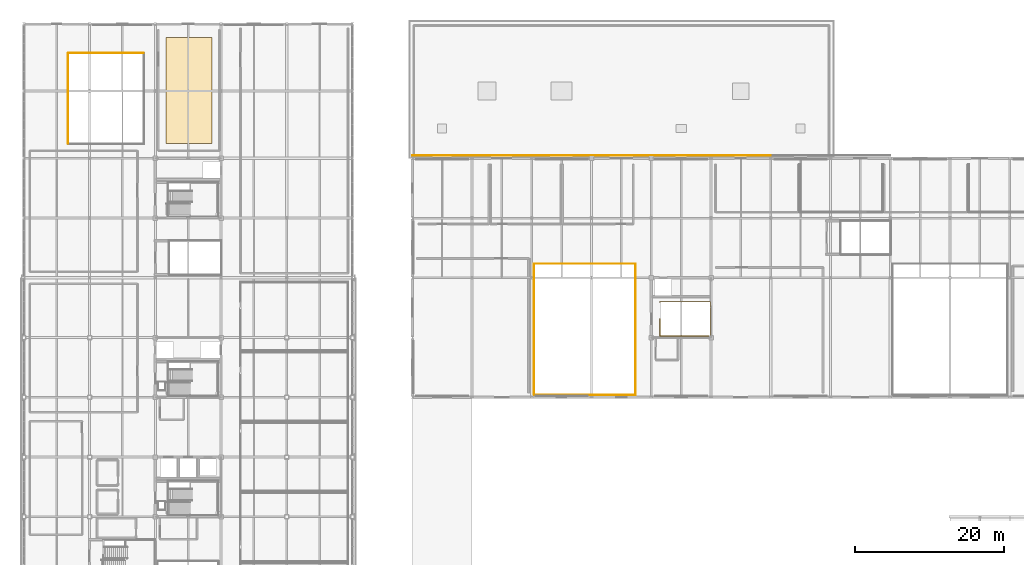
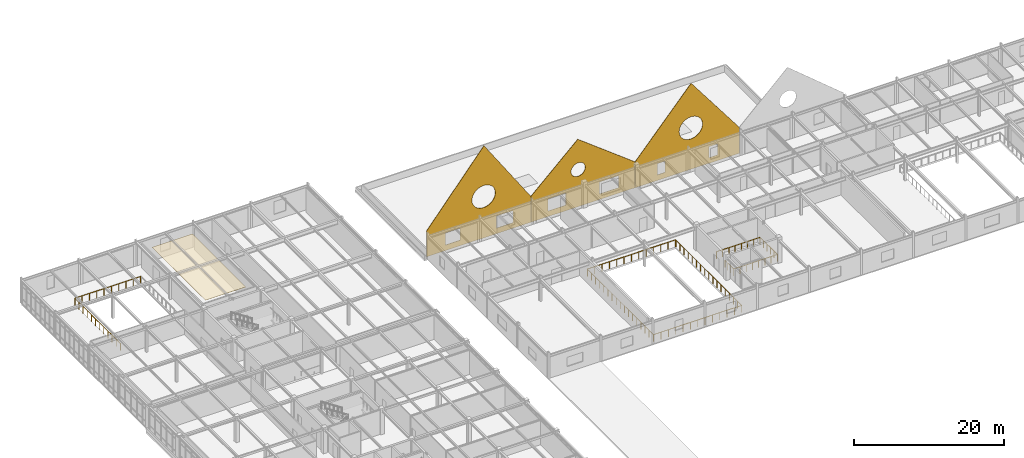
# One storey, part 87 of 88: 4 coverings, 4 railings, 9 openings.
"""IFC4 building model written with IfcOpenShell, lengths in metres."""

from ifc_helpers import new_model, si_unit, direction, frame, frame_2d, origin, origin_2d, place, context, subcontext, project, spatial, polyline, rectangle, circle, outline, extrude, material, layer, layer_set, type_object, element, save


model = new_model("IFC4")

# Units and contexts
model_context = context("Model", 3, precision=1e-05, world=origin(), true_north=direction((0.0, 1.0)))
body_context = subcontext(model_context, "Body", "Model", "MODEL_VIEW")
ifc_project = project(units=[si_unit("LENGTHUNIT", "METRE"), si_unit("AREAUNIT", "SQUARE_METRE"), si_unit("VOLUMEUNIT", "CUBIC_METRE"), si_unit("PLANEANGLEUNIT", "RADIAN"), si_unit("MASSUNIT", "GRAM", prefix="KILO")], contexts=[model_context])

# Site, building, storey
site_placement = place(None, origin())
site = spatial("IfcSite", under=ifc_project, at=site_placement, CompositionType="ELEMENT")
building_placement = place(site_placement, origin())
building = spatial("IfcBuilding", under=site, at=building_placement, Name="Zhaolan Boulevard Law Courts", CompositionType="ELEMENT")
storey_placement = place(building_placement, frame((0.0, 0.0, 16.199951171875)))
storey = spatial("IfcBuildingStorey", under=building, at=storey_placement, Name="L03", CompositionType="ELEMENT", Elevation=16.199951171875)

# Covering
ifc_material_1 = material(Name="Perforated acoustic gypsum and timber-slat ceiling", Category="wood")
ifc_layer_1 = layer(ifc_material_1, 0.030029296875)
ifc_layer_set_1 = layer_set([ifc_layer_1])
covering_type_1 = type_object("IfcCoveringType", Name="ACOUSTIC CEILING 30", PredefinedType="CEILING", material=ifc_layer_set_1)
covering_1_placement = place(storey_placement, frame((22.10009765625, 103.10009765625, 3.51513671875), z_axis=(0.0, 0.0, 1.0), x_axis=(1.0, 0.0, 0.0)))
element("IfcCovering", 1, at=covering_1_placement, inside=storey, type_object=covering_type_1, Name="Acoustic Baffle Ceiling CLG-17", PredefinedType="CEILING", context=body_context, shape_type="SweptSolid", body=[
    extrude(rectangle(XDim=6.199951171875, YDim=14.199951171875, at=origin_2d()), origin(), (0.0, 0.0, 1.0), 0.030029296875),
])

# Railings
ifc_material_2 = material(Name="Powder-coated steel and tempered laminated glass", Category="steel")
railing_type_1 = type_object("IfcRailingType", Name="INTERIOR GUARDRAIL 1150", PredefinedType="GUARDRAIL", material=ifc_material_2)
railing_1_placement = place(storey_placement, frame((68.360107421875, 62.320068359375, 0.0)))
element("IfcRailing", 2, at=railing_1_placement, inside=storey, type_object=railing_type_1, Name="Atrium Gallery Guardrail VG-3-V2-5A", PredefinedType="GUARDRAIL", context=body_context, shape_type="SweptSolid", body=[
    extrude(circle(Radius=0.02490234375, at=origin_2d()), frame((0.0, 0.0, 1.125), z_axis=(1.0, 0.0, 0.0), x_axis=(0.0, 1.0, 0.0)), (0.0, 0.0, 1.0), 13.519775390625),
    extrude(circle(Radius=0.02490234375, at=origin_2d()), frame((13.519775390625, 0.0, 1.125), z_axis=(0.0, 1.0, 0.0), x_axis=(-1.0, 0.0, 0.0)), (0.0, 0.0, 1.0), 17.52001953125),
    extrude(circle(Radius=0.02099609375, at=origin_2d()), origin(), (0.0, 0.0, 1.0), 1.099853515625),
    extrude(circle(Radius=0.02099609375, at=origin_2d()), frame((1.126708984375, 0.0, 0.0)), (0.0, 0.0, 1.0), 1.099853515625),
    extrude(circle(Radius=0.02099609375, at=origin_2d()), frame((2.25341796875, 0.0, 0.0)), (0.0, 0.0, 1.0), 1.099853515625),
    extrude(circle(Radius=0.02099609375, at=origin_2d()), frame((3.3798828125, 0.0, 0.0)), (0.0, 0.0, 1.0), 1.099853515625),
    extrude(circle(Radius=0.02099609375, at=origin_2d()), frame((4.506591796875, 0.0, 0.0)), (0.0, 0.0, 1.0), 1.099853515625),
    extrude(circle(Radius=0.02099609375, at=origin_2d()), frame((5.63330078125, 0.0, 0.0)), (0.0, 0.0, 1.0), 1.099853515625),
    extrude(circle(Radius=0.02099609375, at=origin_2d()), frame((6.759765625, 0.0, 0.0)), (0.0, 0.0, 1.0), 1.099853515625),
    extrude(circle(Radius=0.02099609375, at=origin_2d()), frame((7.886474609375, 0.0, 0.0)), (0.0, 0.0, 1.0), 1.099853515625),
    extrude(circle(Radius=0.02099609375, at=origin_2d()), frame((9.01318359375, 0.0, 0.0)), (0.0, 0.0, 1.0), 1.099853515625),
    extrude(circle(Radius=0.02099609375, at=origin_2d()), frame((10.139892578125, 0.0, 0.0)), (0.0, 0.0, 1.0), 1.099853515625),
    extrude(circle(Radius=0.02099609375, at=origin_2d()), frame((11.2666015625, 0.0, 0.0)), (0.0, 0.0, 1.0), 1.099853515625),
    extrude(circle(Radius=0.02099609375, at=origin_2d()), frame((12.39306640625, 0.0, 0.0)), (0.0, 0.0, 1.0), 1.099853515625),
    extrude(circle(Radius=0.02099609375, at=origin_2d()), frame((13.519775390625, 0.0, 0.0)), (0.0, 0.0, 1.0), 1.099853515625),
    extrude(circle(Radius=0.02099609375, at=origin_2d()), frame((13.519775390625, 1.094970703125, 0.0)), (0.0, 0.0, 1.0), 1.099853515625),
    extrude(circle(Radius=0.02099609375, at=origin_2d()), frame((13.519775390625, 2.18994140625, 0.0)), (0.0, 0.0, 1.0), 1.099853515625),
    extrude(circle(Radius=0.02099609375, at=origin_2d()), frame((13.519775390625, 3.284912109375, 0.0)), (0.0, 0.0, 1.0), 1.099853515625),
    extrude(circle(Radius=0.02099609375, at=origin_2d()), frame((13.519775390625, 4.3798828125, 0.0)), (0.0, 0.0, 1.0), 1.099853515625),
    extrude(circle(Radius=0.02099609375, at=origin_2d()), frame((13.519775390625, 5.47509765625, 0.0)), (0.0, 0.0, 1.0), 1.099853515625),
    extrude(circle(Radius=0.02099609375, at=origin_2d()), frame((13.519775390625, 6.570068359375, 0.0)), (0.0, 0.0, 1.0), 1.099853515625),
    extrude(circle(Radius=0.02099609375, at=origin_2d()), frame((13.519775390625, 7.6650390625, 0.0)), (0.0, 0.0, 1.0), 1.099853515625),
    extrude(circle(Radius=0.02099609375, at=origin_2d()), frame((13.519775390625, 8.760009765625, 0.0)), (0.0, 0.0, 1.0), 1.099853515625),
    extrude(circle(Radius=0.02099609375, at=origin_2d()), frame((13.519775390625, 9.85498046875, 0.0)), (0.0, 0.0, 1.0), 1.099853515625),
    extrude(circle(Radius=0.02099609375, at=origin_2d()), frame((13.519775390625, 10.949951171875, 0.0)), (0.0, 0.0, 1.0), 1.099853515625),
    extrude(circle(Radius=0.02099609375, at=origin_2d()), frame((13.519775390625, 12.044921875, 0.0)), (0.0, 0.0, 1.0), 1.099853515625),
    extrude(circle(Radius=0.02099609375, at=origin_2d()), frame((13.519775390625, 13.14013671875, 0.0)), (0.0, 0.0, 1.0), 1.099853515625),
    extrude(circle(Radius=0.02099609375, at=origin_2d()), frame((13.519775390625, 14.235107421875, 0.0)), (0.0, 0.0, 1.0), 1.099853515625),
    extrude(circle(Radius=0.02099609375, at=origin_2d()), frame((13.519775390625, 15.330078125, 0.0)), (0.0, 0.0, 1.0), 1.099853515625),
    extrude(circle(Radius=0.02099609375, at=origin_2d()), frame((13.519775390625, 16.425048828125, 0.0)), (0.0, 0.0, 1.0), 1.099853515625),
    extrude(circle(Radius=0.02099609375, at=origin_2d()), frame((13.519775390625, 17.52001953125, 0.0)), (0.0, 0.0, 1.0), 1.099853515625),
])
railing_2_placement = place(storey_placement, frame((81.820068359375, 79.8798828125, 0.0)))
element("IfcRailing", 3, at=railing_2_placement, inside=storey, type_object=railing_type_1, Name="Atrium Gallery Guardrail VG-3-V2-5B", PredefinedType="GUARDRAIL", context=body_context, shape_type="SweptSolid", body=[
    extrude(circle(Radius=0.02490234375, at=origin_2d()), frame((0.0, 0.0, 1.125), z_axis=(-1.0, 0.0, 0.0), x_axis=(0.0, -1.0, 0.0)), (0.0, 0.0, 1.0), 13.5),
    extrude(circle(Radius=0.02490234375, at=origin_2d()), frame((-13.5, 0.0, 1.125), z_axis=(0.0, -1.0, 0.0), x_axis=(1.0, 0.0, 0.0)), (0.0, 0.0, 1.0), 17.5),
    extrude(circle(Radius=0.02099609375, at=origin_2d()), origin(), (0.0, 0.0, 1.0), 1.099853515625),
    extrude(circle(Radius=0.02099609375, at=origin_2d()), frame((-1.125, 0.0, 0.0)), (0.0, 0.0, 1.0), 1.099853515625),
    extrude(circle(Radius=0.02099609375, at=origin_2d()), frame((-2.25, 0.0, 0.0)), (0.0, 0.0, 1.0), 1.099853515625),
    extrude(circle(Radius=0.02099609375, at=origin_2d()), frame((-3.375, 0.0, 0.0)), (0.0, 0.0, 1.0), 1.099853515625),
    extrude(circle(Radius=0.02099609375, at=origin_2d()), frame((-4.5, 0.0, 0.0)), (0.0, 0.0, 1.0), 1.099853515625),
    extrude(circle(Radius=0.02099609375, at=origin_2d()), frame((-5.625, 0.0, 0.0)), (0.0, 0.0, 1.0), 1.099853515625),
    extrude(circle(Radius=0.02099609375, at=origin_2d()), frame((-6.75, 0.0, 0.0)), (0.0, 0.0, 1.0), 1.099853515625),
    extrude(circle(Radius=0.02099609375, at=origin_2d()), frame((-7.875, 0.0, 0.0)), (0.0, 0.0, 1.0), 1.099853515625),
    extrude(circle(Radius=0.02099609375, at=origin_2d()), frame((-9.0, 0.0, 0.0)), (0.0, 0.0, 1.0), 1.099853515625),
    extrude(circle(Radius=0.02099609375, at=origin_2d()), frame((-10.125, 0.0, 0.0)), (0.0, 0.0, 1.0), 1.099853515625),
    extrude(circle(Radius=0.02099609375, at=origin_2d()), frame((-11.25, 0.0, 0.0)), (0.0, 0.0, 1.0), 1.099853515625),
    extrude(circle(Radius=0.02099609375, at=origin_2d()), frame((-12.375, 0.0, 0.0)), (0.0, 0.0, 1.0), 1.099853515625),
    extrude(circle(Radius=0.02099609375, at=origin_2d()), frame((-13.5, 0.0, 0.0)), (0.0, 0.0, 1.0), 1.099853515625),
    extrude(circle(Radius=0.02099609375, at=origin_2d()), frame((-13.5, -1.09375, 0.0)), (0.0, 0.0, 1.0), 1.099853515625),
    extrude(circle(Radius=0.02099609375, at=origin_2d()), frame((-13.5, -2.1875, 0.0)), (0.0, 0.0, 1.0), 1.099853515625),
    extrude(circle(Radius=0.02099609375, at=origin_2d()), frame((-13.5, -3.28125, 0.0)), (0.0, 0.0, 1.0), 1.099853515625),
    extrude(circle(Radius=0.02099609375, at=origin_2d()), frame((-13.5, -4.375, 0.0)), (0.0, 0.0, 1.0), 1.099853515625),
    extrude(circle(Radius=0.02099609375, at=origin_2d()), frame((-13.5, -5.46875, 0.0)), (0.0, 0.0, 1.0), 1.099853515625),
    extrude(circle(Radius=0.02099609375, at=origin_2d()), frame((-13.5, -6.5625, 0.0)), (0.0, 0.0, 1.0), 1.099853515625),
    extrude(circle(Radius=0.02099609375, at=origin_2d()), frame((-13.5, -7.65625, 0.0)), (0.0, 0.0, 1.0), 1.099853515625),
    extrude(circle(Radius=0.02099609375, at=origin_2d()), frame((-13.5, -8.75, 0.0)), (0.0, 0.0, 1.0), 1.099853515625),
    extrude(circle(Radius=0.02099609375, at=origin_2d()), frame((-13.5, -9.84375, 0.0)), (0.0, 0.0, 1.0), 1.099853515625),
    extrude(circle(Radius=0.02099609375, at=origin_2d()), frame((-13.5, -10.9375, 0.0)), (0.0, 0.0, 1.0), 1.099853515625),
    extrude(circle(Radius=0.02099609375, at=origin_2d()), frame((-13.5, -12.03125, 0.0)), (0.0, 0.0, 1.0), 1.099853515625),
    extrude(circle(Radius=0.02099609375, at=origin_2d()), frame((-13.5, -13.125, 0.0)), (0.0, 0.0, 1.0), 1.099853515625),
    extrude(circle(Radius=0.02099609375, at=origin_2d()), frame((-13.5, -14.21875, 0.0)), (0.0, 0.0, 1.0), 1.099853515625),
    extrude(circle(Radius=0.02099609375, at=origin_2d()), frame((-13.5, -15.3125, 0.0)), (0.0, 0.0, 1.0), 1.099853515625),
    extrude(circle(Radius=0.02099609375, at=origin_2d()), frame((-13.5, -16.40625, 0.0)), (0.0, 0.0, 1.0), 1.099853515625),
    extrude(circle(Radius=0.02099609375, at=origin_2d()), frame((-13.5, -17.5, 0.0)), (0.0, 0.0, 1.0), 1.099853515625),
])
railing_3_placement = place(storey_placement, frame((16.02001953125, 108.080078125, 0.0)))
element("IfcRailing", 4, at=railing_3_placement, inside=storey, type_object=railing_type_1, Name="Atrium Gallery Guardrail VG-3-V3-4B", PredefinedType="GUARDRAIL", context=body_context, shape_type="SweptSolid", body=[
    extrude(circle(Radius=0.02490234375, at=origin_2d()), frame((0.0, 0.0, 1.125), z_axis=(-1.0, 0.0, 0.0), x_axis=(0.0, -1.0, 0.0)), (0.0, 0.0, 1.0), 10.10009765625),
    extrude(circle(Radius=0.02490234375, at=origin_2d()), frame((-10.10009765625, 0.0, 1.125), z_axis=(0.0, -1.0, 0.0), x_axis=(1.0, 0.0, 0.0)), (0.0, 0.0, 1.0), 12.10009765625),
    extrude(circle(Radius=0.02099609375, at=origin_2d()), origin(), (0.0, 0.0, 1.0), 1.099853515625),
    extrude(circle(Radius=0.02099609375, at=origin_2d()), frame((-1.122314453125, 0.0, 0.0)), (0.0, 0.0, 1.0), 1.099853515625),
    extrude(circle(Radius=0.02099609375, at=origin_2d()), frame((-2.244384765625, 0.0, 0.0)), (0.0, 0.0, 1.0), 1.099853515625),
    extrude(circle(Radius=0.02099609375, at=origin_2d()), frame((-3.36669921875, 0.0, 0.0)), (0.0, 0.0, 1.0), 1.099853515625),
    extrude(circle(Radius=0.02099609375, at=origin_2d()), frame((-4.489013671875, 0.0, 0.0)), (0.0, 0.0, 1.0), 1.099853515625),
    extrude(circle(Radius=0.02099609375, at=origin_2d()), frame((-5.611083984375, 0.0, 0.0)), (0.0, 0.0, 1.0), 1.099853515625),
    extrude(circle(Radius=0.02099609375, at=origin_2d()), frame((-6.7333984375, 0.0, 0.0)), (0.0, 0.0, 1.0), 1.099853515625),
    extrude(circle(Radius=0.02099609375, at=origin_2d()), frame((-7.855712890625, 0.0, 0.0)), (0.0, 0.0, 1.0), 1.099853515625),
    extrude(circle(Radius=0.02099609375, at=origin_2d()), frame((-8.977783203125, 0.0, 0.0)), (0.0, 0.0, 1.0), 1.099853515625),
    extrude(circle(Radius=0.02099609375, at=origin_2d()), frame((-10.10009765625, 0.0, 0.0)), (0.0, 0.0, 1.0), 1.099853515625),
    extrude(circle(Radius=0.02099609375, at=origin_2d()), frame((-10.10009765625, -1.10009765625, 0.0)), (0.0, 0.0, 1.0), 1.099853515625),
    extrude(circle(Radius=0.02099609375, at=origin_2d()), frame((-10.10009765625, -2.199951171875, 0.0)), (0.0, 0.0, 1.0), 1.099853515625),
    extrude(circle(Radius=0.02099609375, at=origin_2d()), frame((-10.10009765625, -3.300048828125, 0.0)), (0.0, 0.0, 1.0), 1.099853515625),
    extrude(circle(Radius=0.02099609375, at=origin_2d()), frame((-10.10009765625, -4.400146484375, 0.0)), (0.0, 0.0, 1.0), 1.099853515625),
    extrude(circle(Radius=0.02099609375, at=origin_2d()), frame((-10.10009765625, -5.5, 0.0)), (0.0, 0.0, 1.0), 1.099853515625),
    extrude(circle(Radius=0.02099609375, at=origin_2d()), frame((-10.10009765625, -6.60009765625, 0.0)), (0.0, 0.0, 1.0), 1.099853515625),
    extrude(circle(Radius=0.02099609375, at=origin_2d()), frame((-10.10009765625, -7.699951171875, 0.0)), (0.0, 0.0, 1.0), 1.099853515625),
    extrude(circle(Radius=0.02099609375, at=origin_2d()), frame((-10.10009765625, -8.800048828125, 0.0)), (0.0, 0.0, 1.0), 1.099853515625),
    extrude(circle(Radius=0.02099609375, at=origin_2d()), frame((-10.10009765625, -9.900146484375, 0.0)), (0.0, 0.0, 1.0), 1.099853515625),
    extrude(circle(Radius=0.02099609375, at=origin_2d()), frame((-10.10009765625, -11.0, 0.0)), (0.0, 0.0, 1.0), 1.099853515625),
    extrude(circle(Radius=0.02099609375, at=origin_2d()), frame((-10.10009765625, -12.10009765625, 0.0)), (0.0, 0.0, 1.0), 1.099853515625),
])
ifc_material_3 = material(Name="Powder-coated steel baluster guardrail", Category="steel")
railing_type_2 = type_object("IfcRailingType", Name="STAIR WELL GUARDRAIL 1120", PredefinedType="GUARDRAIL", material=ifc_material_3)
railing_4_placement = place(storey_placement, frame((85.18994140625, 72.530029296875, 0.0)))
element("IfcRailing", 5, at=railing_4_placement, inside=storey, type_object=railing_type_2, Name="Stair-Well Floor Guardrail WG-ST08-L02", PredefinedType="GUARDRAIL", context=body_context, shape_type="SweptSolid", body=[
    extrude(circle(Radius=0.02392578125, at=origin_2d()), frame((0.0, 0.0, 1.09619140625), z_axis=(0.0, -1.0, 0.0), x_axis=(1.0, 0.0, 0.0)), (0.0, 0.0, 1.0), 2.330078125),
    extrude(circle(Radius=0.02392578125, at=origin_2d()), frame((0.0, -2.330078125, 1.09619140625), z_axis=(1.0, 0.0, 0.0), x_axis=(0.0, 1.0, 0.0)), (0.0, 0.0, 1.0), 6.7099609375),
    extrude(circle(Radius=0.02392578125, at=origin_2d()), frame((6.7099609375, -2.330078125, 1.09619140625), z_axis=(0.0, 1.0, 0.0), x_axis=(-1.0, 0.0, 0.0)), (0.0, 0.0, 1.0), 4.60009765625),
    extrude(circle(Radius=0.02392578125, at=origin_2d()), frame((6.7099609375, 2.27001953125, 1.09619140625), z_axis=(-1.0, 0.0, 0.0), x_axis=(0.0, -1.0, 0.0)), (0.0, 0.0, 1.0), 6.7099609375),
    extrude(circle(Radius=0.02392578125, at=origin_2d()), frame((0.0, 2.27001953125, 1.09619140625), z_axis=(0.0, -1.0, 0.0), x_axis=(1.0, 0.0, 0.0)), (0.0, 0.0, 1.0), 0.0400390625),
    extrude(circle(Radius=0.02099609375, at=origin_2d()), origin(), (0.0, 0.0, 1.0), 1.072021484375),
    extrude(circle(Radius=0.02099609375, at=origin_2d()), frame((0.0, -0.776611328125, 0.0)), (0.0, 0.0, 1.0), 1.072021484375),
    extrude(circle(Radius=0.02099609375, at=origin_2d()), frame((0.0, -1.553466796875, 0.0)), (0.0, 0.0, 1.0), 1.072021484375),
    extrude(circle(Radius=0.02099609375, at=origin_2d()), frame((0.0, -2.330078125, 0.0)), (0.0, 0.0, 1.0), 1.072021484375),
    extrude(circle(Radius=0.02099609375, at=origin_2d()), frame((0.95849609375, -2.330078125, 0.0)), (0.0, 0.0, 1.0), 1.072021484375),
    extrude(circle(Radius=0.02099609375, at=origin_2d()), frame((1.917236328125, -2.330078125, 0.0)), (0.0, 0.0, 1.0), 1.072021484375),
    extrude(circle(Radius=0.02099609375, at=origin_2d()), frame((2.875732421875, -2.330078125, 0.0)), (0.0, 0.0, 1.0), 1.072021484375),
    extrude(circle(Radius=0.02099609375, at=origin_2d()), frame((3.834228515625, -2.330078125, 0.0)), (0.0, 0.0, 1.0), 1.072021484375),
    extrude(circle(Radius=0.02099609375, at=origin_2d()), frame((4.792724609375, -2.330078125, 0.0)), (0.0, 0.0, 1.0), 1.072021484375),
    extrude(circle(Radius=0.02099609375, at=origin_2d()), frame((5.75146484375, -2.330078125, 0.0)), (0.0, 0.0, 1.0), 1.072021484375),
    extrude(circle(Radius=0.02099609375, at=origin_2d()), frame((6.7099609375, -2.330078125, 0.0)), (0.0, 0.0, 1.0), 1.072021484375),
    extrude(circle(Radius=0.02099609375, at=origin_2d()), frame((6.7099609375, -1.41015625, 0.0)), (0.0, 0.0, 1.0), 1.072021484375),
    extrude(circle(Radius=0.02099609375, at=origin_2d()), frame((6.7099609375, -0.489990234375, 0.0)), (0.0, 0.0, 1.0), 1.072021484375),
    extrude(circle(Radius=0.02099609375, at=origin_2d()), frame((6.7099609375, 0.429931640625, 0.0)), (0.0, 0.0, 1.0), 1.072021484375),
    extrude(circle(Radius=0.02099609375, at=origin_2d()), frame((6.7099609375, 1.35009765625, 0.0)), (0.0, 0.0, 1.0), 1.072021484375),
    extrude(circle(Radius=0.02099609375, at=origin_2d()), frame((6.7099609375, 2.27001953125, 0.0)), (0.0, 0.0, 1.0), 1.072021484375),
    extrude(circle(Radius=0.02099609375, at=origin_2d()), frame((5.75146484375, 2.27001953125, 0.0)), (0.0, 0.0, 1.0), 1.072021484375),
    extrude(circle(Radius=0.02099609375, at=origin_2d()), frame((4.792724609375, 2.27001953125, 0.0)), (0.0, 0.0, 1.0), 1.072021484375),
    extrude(circle(Radius=0.02099609375, at=origin_2d()), frame((3.834228515625, 2.27001953125, 0.0)), (0.0, 0.0, 1.0), 1.072021484375),
    extrude(circle(Radius=0.02099609375, at=origin_2d()), frame((2.875732421875, 2.27001953125, 0.0)), (0.0, 0.0, 1.0), 1.072021484375),
    extrude(circle(Radius=0.02099609375, at=origin_2d()), frame((1.917236328125, 2.27001953125, 0.0)), (0.0, 0.0, 1.0), 1.072021484375),
    extrude(circle(Radius=0.02099609375, at=origin_2d()), frame((0.95849609375, 2.27001953125, 0.0)), (0.0, 0.0, 1.0), 1.072021484375),
    extrude(circle(Radius=0.02099609375, at=origin_2d()), frame((0.0, 2.27001953125, 0.0)), (0.0, 0.0, 1.0), 1.072021484375),
    extrude(circle(Radius=0.02099609375, at=origin_2d()), frame((0.0, 2.22998046875, 0.0)), (0.0, 0.0, 1.0), 1.072021484375),
])

# Covering, openings
ifc_material_4 = material(Name="Pale mist-grey standing-seam Al-Mg-Mn zinc-titanium")
ifc_layer_2 = layer(ifc_material_4, 0.050048828125)
ifc_layer_set_2 = layer_set([ifc_layer_2])
covering_type_2 = type_object("IfcCoveringType", Name="STANDING SEAM CLADDING 50", PredefinedType="CLADDING", material=ifc_layer_set_2)
covering_2_placement = place(storey_placement, frame((68.0, 94.364990234375, 0.050048828125), z_axis=(0.0, 0.0, 1.0), x_axis=(-1.0, 0.0, 0.0)))
covering_2 = element("IfcCovering", 6, at=covering_2_placement, inside=storey, type_object=covering_type_2, Name="Standing-Seam Metal Wall Wrap SSC-002", PredefinedType="CLADDING", context=body_context, shape_type="SweptSolid", body=[
    extrude(outline(polyline([(0.0, 0.0), (16.0, 0.0), (16.0, 4.199951171875), (7.199951171875, 14.949951171875), (0.0, 4.199951171875), (0.0, 0.0)])), frame((0.0, 0.02490234375, 0.0), z_axis=(0.0, -1.0, 0.0), x_axis=(1.0, 0.0, 0.0)), (0.0, 0.0, 1.0), 0.050048828125),
])
opening_1_placement = place(storey_placement, frame((57.125, 94.364990234375, 0.949951171875), z_axis=(0.0, 0.0, 1.0), x_axis=(-1.0, 0.0, 0.0)))
element("IfcOpeningElement", 7, at=opening_1_placement, cuts=covering_2, Name="Cladding Void WIN-L03-141", PredefinedType="OPENING", context=body_context, shape_type="SweptSolid", body=[
    extrude(rectangle(XDim=2.25, YDim=1.949951171875, at=frame_2d((1.125, 0.97509765625))), frame((0.0, 0.14990234375, 0.0), z_axis=(0.0, -1.0, 0.0), x_axis=(1.0, 0.0, 0.0)), (0.0, 0.0, 1.0), 0.300048828125),
])
opening_2_placement = place(storey_placement, frame((65.27490234375, 94.364990234375, 0.949951171875), z_axis=(0.0, 0.0, 1.0), x_axis=(-1.0, 0.0, 0.0)))
element("IfcOpeningElement", 8, at=opening_2_placement, cuts=covering_2, Name="Cladding Void WIN-L03-142", PredefinedType="OPENING", context=body_context, shape_type="SweptSolid", body=[
    extrude(rectangle(XDim=2.550048828125, YDim=1.949951171875, at=frame_2d((1.27490234375, 0.97509765625))), frame((0.0, 0.14990234375, 0.0), z_axis=(0.0, -1.0, 0.0), x_axis=(1.0, 0.0, 0.0)), (0.0, 0.0, 1.0), 0.300048828125),
])
opening_3_placement = place(storey_placement, frame((62.544921875, 94.364990234375, 4.969970703125), z_axis=(0.0, 0.0, 1.0), x_axis=(-1.0, 0.0, 0.0)))
element("IfcOpeningElement", 9, at=opening_3_placement, cuts=covering_2, Name="Cladding Void OC-T1N", PredefinedType="OPENING", context=body_context, shape_type="SweptSolid", body=[
    extrude(outline(polyline([(3.60009765625, 1.800048828125), (3.57275390625, 2.112548828125), (3.491455078125, 2.41552734375), (3.35888671875, 2.699951171875), (3.178955078125, 2.95703125), (2.95703125, 3.178955078125), (2.699951171875, 3.35888671875), (2.41552734375, 3.491455078125), (2.112548828125, 3.57275390625), (1.800048828125, 3.60009765625), (1.487548828125, 3.57275390625), (1.184326171875, 3.491455078125), (0.89990234375, 3.35888671875), (0.64306640625, 3.178955078125), (0.421142578125, 2.95703125), (0.2412109375, 2.699951171875), (0.108642578125, 2.41552734375), (0.02734375, 2.112548828125), (0.0, 1.800048828125), (0.02734375, 1.487548828125), (0.108642578125, 1.184326171875), (0.2412109375, 0.89990234375), (0.421142578125, 0.64306640625), (0.64306640625, 0.421142578125), (0.89990234375, 0.2412109375), (1.184326171875, 0.108642578125), (1.487548828125, 0.02734375), (1.800048828125, 0.0), (2.112548828125, 0.02734375), (2.41552734375, 0.108642578125), (2.699951171875, 0.2412109375), (2.95703125, 0.421142578125), (3.178955078125, 0.64306640625), (3.35888671875, 0.89990234375), (3.491455078125, 1.184326171875), (3.57275390625, 1.487548828125), (3.60009765625, 1.800048828125)])), frame((0.0, 0.14990234375, 0.0), z_axis=(0.0, -1.0, 0.0), x_axis=(1.0, 0.0, 0.0)), (0.0, 0.0, 1.0), 0.300048828125),
])

covering_3_placement = place(storey_placement, frame((84.0, 94.364990234375, 0.050048828125), z_axis=(0.0, 0.0, 1.0), x_axis=(-1.0, 0.0, 0.0)))
covering_3 = element("IfcCovering", 10, at=covering_3_placement, inside=storey, type_object=covering_type_2, Name="Standing-Seam Metal Wall Wrap SSC-006", PredefinedType="CLADDING", context=body_context, shape_type="SweptSolid", body=[
    extrude(outline(polyline([(0.0, 0.0), (16.0, 0.0), (16.0, 4.199951171875), (8.800048828125, 10.949951171875), (0.0, 4.199951171875), (0.0, 0.0)])), frame((0.0, 0.02490234375, 0.0), z_axis=(0.0, -1.0, 0.0), x_axis=(1.0, 0.0, 0.0)), (0.0, 0.0, 1.0), 0.050048828125),
])
opening_4_placement = place(storey_placement, frame((73.375, 94.364990234375, 0.949951171875), z_axis=(0.0, 0.0, 1.0), x_axis=(-1.0, 0.0, 0.0)))
element("IfcOpeningElement", 11, at=opening_4_placement, cuts=covering_3, Name="Cladding Void WIN-L03-143", PredefinedType="OPENING", context=body_context, shape_type="SweptSolid", body=[
    extrude(rectangle(XDim=2.75, YDim=1.949951171875, at=frame_2d((1.375, 0.97509765625))), frame((0.0, 0.14990234375, 0.0), z_axis=(0.0, -1.0, 0.0), x_axis=(1.0, 0.0, 0.0)), (0.0, 0.0, 1.0), 0.300048828125),
])
opening_5_placement = place(storey_placement, frame((81.449951171875, 94.364990234375, 0.949951171875), z_axis=(0.0, 0.0, 1.0), x_axis=(-1.0, 0.0, 0.0)))
element("IfcOpeningElement", 12, at=opening_5_placement, cuts=covering_3, Name="Cladding Void WIN-L03-144", PredefinedType="OPENING", context=body_context, shape_type="SweptSolid", body=[
    extrude(rectangle(XDim=2.89990234375, YDim=1.949951171875, at=frame_2d((1.449951171875, 0.97509765625))), frame((0.0, 0.14990234375, 0.0), z_axis=(0.0, -1.0, 0.0), x_axis=(1.0, 0.0, 0.0)), (0.0, 0.0, 1.0), 0.300048828125),
])
opening_6_placement = place(storey_placement, frame((76.35498046875, 94.364990234375, 4.969970703125), z_axis=(0.0, 0.0, 1.0), x_axis=(-1.0, 0.0, 0.0)))
element("IfcOpeningElement", 13, at=opening_6_placement, cuts=covering_3, Name="Cladding Void OC-T2N", PredefinedType="OPENING", context=body_context, shape_type="SweptSolid", body=[
    extrude(outline(polyline([(2.199951171875, 1.10009765625), (2.183349609375, 1.291015625), (2.133544921875, 1.476318359375), (2.052734375, 1.64990234375), (1.942626953125, 1.80712890625), (1.80712890625, 1.942626953125), (1.64990234375, 2.052734375), (1.476318359375, 2.133544921875), (1.291015625, 2.183349609375), (1.10009765625, 2.199951171875), (0.908935546875, 2.183349609375), (0.723876953125, 2.133544921875), (0.550048828125, 2.052734375), (0.392822265625, 1.942626953125), (0.25732421875, 1.80712890625), (0.1474609375, 1.64990234375), (0.06640625, 1.476318359375), (0.0166015625, 1.291015625), (0.0, 1.10009765625), (0.0166015625, 0.908935546875), (0.06640625, 0.723876953125), (0.1474609375, 0.550048828125), (0.25732421875, 0.392822265625), (0.392822265625, 0.25732421875), (0.550048828125, 0.1474609375), (0.723876953125, 0.06640625), (0.908935546875, 0.0166015625), (1.10009765625, 0.0), (1.291015625, 0.0166015625), (1.476318359375, 0.06640625), (1.64990234375, 0.1474609375), (1.80712890625, 0.25732421875), (1.942626953125, 0.392822265625), (2.052734375, 0.550048828125), (2.133544921875, 0.723876953125), (2.183349609375, 0.908935546875), (2.199951171875, 1.10009765625)])), frame((0.0, 0.14990234375, 0.0), z_axis=(0.0, -1.0, 0.0), x_axis=(1.0, 0.0, 0.0)), (0.0, 0.0, 1.0), 0.300048828125),
])

covering_4_placement = place(storey_placement, frame((100.0, 94.364990234375, 0.050048828125), z_axis=(0.0, 0.0, 1.0), x_axis=(-1.0, 0.0, 0.0)))
covering_4 = element("IfcCovering", 14, at=covering_4_placement, inside=storey, type_object=covering_type_2, Name="Standing-Seam Metal Wall Wrap SSC-010", PredefinedType="CLADDING", context=body_context, shape_type="SweptSolid", body=[
    extrude(outline(polyline([(0.0, 0.0), (16.0, 0.0), (16.0, 4.199951171875), (7.39990234375, 13.949951171875), (0.0, 4.199951171875), (0.0, 0.0)])), frame((0.0, 0.02490234375, 0.0), z_axis=(0.0, -1.0, 0.0), x_axis=(1.0, 0.0, 0.0)), (0.0, 0.0, 1.0), 0.050048828125),
])
opening_7_placement = place(storey_placement, frame((88.60009765625, 94.364990234375, 0.949951171875), z_axis=(0.0, 0.0, 1.0), x_axis=(-1.0, 0.0, 0.0)))
element("IfcOpeningElement", 15, at=opening_7_placement, cuts=covering_4, Name="Cladding Void WIN-L03-145", PredefinedType="OPENING", context=body_context, shape_type="SweptSolid", body=[
    extrude(rectangle(XDim=1.199951171875, YDim=1.800048828125, at=frame_2d((0.60009765625, 0.89990234375))), frame((0.0, 0.14990234375, 0.0), z_axis=(0.0, -1.0, 0.0), x_axis=(1.0, 0.0, 0.0)), (0.0, 0.0, 1.0), 0.300048828125),
])
opening_8_placement = place(storey_placement, frame((96.675048828125, 94.364990234375, 0.949951171875), z_axis=(0.0, 0.0, 1.0), x_axis=(-1.0, 0.0, 0.0)))
element("IfcOpeningElement", 16, at=opening_8_placement, cuts=covering_4, Name="Cladding Void WIN-L03-146", PredefinedType="OPENING", context=body_context, shape_type="SweptSolid", body=[
    extrude(rectangle(XDim=1.35009765625, YDim=1.800048828125, at=frame_2d((0.675048828125, 0.89990234375))), frame((0.0, 0.14990234375, 0.0), z_axis=(0.0, -1.0, 0.0), x_axis=(1.0, 0.0, 0.0)), (0.0, 0.0, 1.0), 0.300048828125),
])
opening_9_placement = place(storey_placement, frame((94.35888671875, 94.364990234375, 4.969970703125), z_axis=(0.0, 0.0, 1.0), x_axis=(-1.0, 0.0, 0.0)))
element("IfcOpeningElement", 17, at=opening_9_placement, cuts=covering_4, Name="Cladding Void OC-T3N", PredefinedType="OPENING", context=body_context, shape_type="SweptSolid", body=[
    extrude(outline(polyline([(3.60009765625, 1.800048828125), (3.57275390625, 2.112548828125), (3.491455078125, 2.41552734375), (3.35888671875, 2.699951171875), (3.178955078125, 2.95703125), (2.95703125, 3.178955078125), (2.699951171875, 3.35888671875), (2.41552734375, 3.491455078125), (2.112548828125, 3.57275390625), (1.800048828125, 3.60009765625), (1.487548828125, 3.57275390625), (1.184326171875, 3.491455078125), (0.89990234375, 3.35888671875), (0.64306640625, 3.178955078125), (0.421142578125, 2.95703125), (0.2412109375, 2.699951171875), (0.108642578125, 2.41552734375), (0.02734375, 2.112548828125), (0.0, 1.800048828125), (0.02734375, 1.487548828125), (0.108642578125, 1.184326171875), (0.2412109375, 0.89990234375), (0.421142578125, 0.64306640625), (0.64306640625, 0.421142578125), (0.89990234375, 0.2412109375), (1.184326171875, 0.108642578125), (1.487548828125, 0.02734375), (1.800048828125, 0.0), (2.112548828125, 0.02734375), (2.41552734375, 0.108642578125), (2.699951171875, 0.2412109375), (2.95703125, 0.421142578125), (3.178955078125, 0.64306640625), (3.35888671875, 0.89990234375), (3.491455078125, 1.184326171875), (3.57275390625, 1.487548828125), (3.60009765625, 1.800048828125)])), frame((0.0, 0.14990234375, 0.0), z_axis=(0.0, -1.0, 0.0), x_axis=(1.0, 0.0, 0.0)), (0.0, 0.0, 1.0), 0.300048828125),
])

save(model, "model.ifc")
